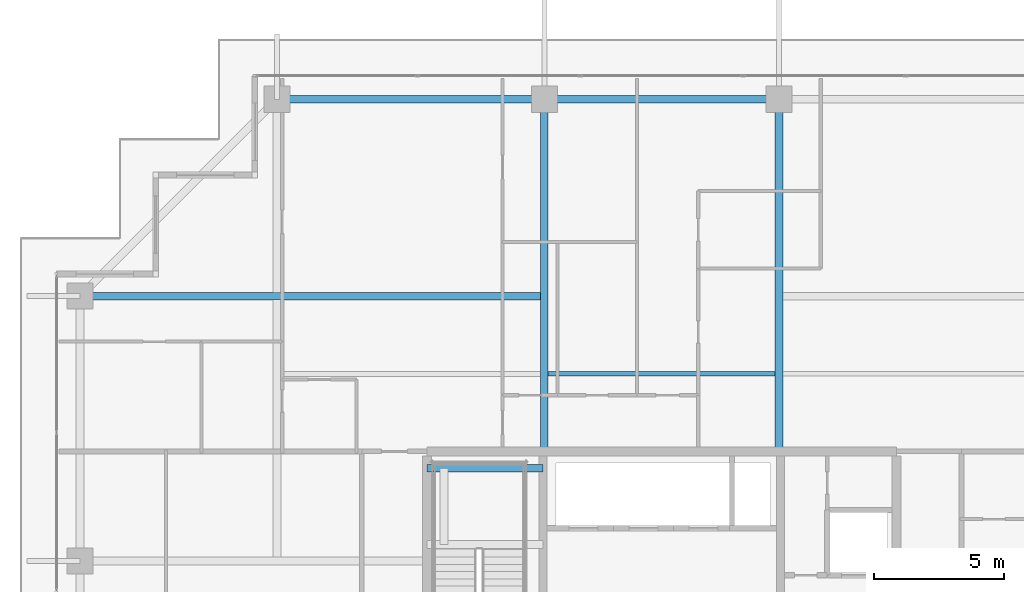
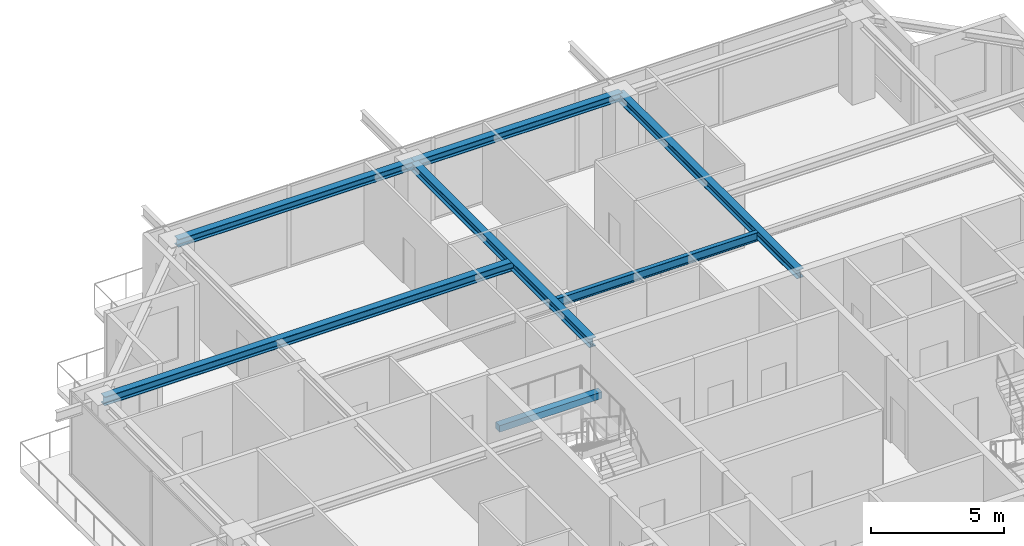
# One storey, part 22 of 42: 7 beams.
"""IFC4 building model written with IfcOpenShell, lengths in metres."""

from ifc_helpers import new_model, si_unit, direction, frame, origin, origin_2d, place, context, subcontext, project, spatial, rectangle, i_section, extrude, source, transform, mapped, material, material_profile, profile_set, type_object, element, save


model = new_model("IFC4")

# Units and contexts
model_context = context("Model", 3, precision=1e-05, world=origin(), true_north=direction((0.0, 1.0)))
body_context = subcontext(model_context, "Body", "Model", "MODEL_VIEW")
ifc_project = project(units=[si_unit("LENGTHUNIT", "METRE"), si_unit("AREAUNIT", "SQUARE_METRE"), si_unit("VOLUMEUNIT", "CUBIC_METRE"), si_unit("PLANEANGLEUNIT", "RADIAN"), si_unit("MASSUNIT", "GRAM", prefix="KILO")], contexts=[model_context])

# Site, building, storey
site_placement = place(None, origin())
site = spatial("IfcSite", under=ifc_project, at=site_placement, CompositionType="ELEMENT")
building_placement = place(site_placement, origin())
building = spatial("IfcBuilding", under=site, at=building_placement, Name="Serunith Strait Residences", CompositionType="ELEMENT")
storey_placement = place(building_placement, frame((0.0, 0.0, 309.64990234375)))
storey = spatial("IfcBuildingStorey", under=building, at=storey_placement, Name="L77", CompositionType="ELEMENT", Elevation=309.64990234375)

# Beams
ifc_material_1 = material(Name="Steel S355J2", Category="steel")
ifc_material_profile_1 = material_profile(ifc_material_1, i_section(OverallWidth=0.179931640625, OverallDepth=0.39990234375, WebThickness=0.008544921875, FlangeThickness=0.013427734375, FilletRadius=0.02099609375, at=origin_2d()), Name="IPE 400")
ifc_profile_set_1 = profile_set([ifc_material_profile_1], Name="Steel S355J2")
beam_type_1 = type_object("IfcBeamType", Name="BM-IPE400", PredefinedType="JOIST", material=ifc_profile_set_1)
shared_shape_1 = source(origin(), body_context, "Body", "SweptSolid", [
    extrude(i_section(OverallWidth=0.179931640625, OverallDepth=0.39990234375, WebThickness=0.008544921875, FlangeThickness=0.013427734375, FilletRadius=0.02099609375, at=origin_2d()), origin(), (0.0, 0.0, 1.0), 8.699951171875),
])
beam_1_placement = place(storey_placement, frame((28.050048828125, 36.574951171875, 3.587158203125), z_axis=(1.0, 0.0, 0.0), x_axis=(0.0, 1.0, 0.0)))
element("IfcBeam", 1, at=beam_1_placement, inside=storey, type_object=beam_type_1, Name="L77 Composite Floor Joist 05", PredefinedType="JOIST", context=body_context, shape_type="MappedRepresentation", body=[
    mapped(shared_shape_1, transform((0.0, 0.0, 0.0), scale=1.0)),
])
ifc_material_profile_2 = material_profile(ifc_material_1, i_section(OverallWidth=0.300048828125, OverallDepth=0.39990234375, WebThickness=0.013427734375, FlangeThickness=0.02392578125, FilletRadius=0.027099609375, at=origin_2d()), Name="HEB 400")
ifc_profile_set_2 = profile_set([ifc_material_profile_2], Name="Steel S355J2")
beam_type_2 = type_object("IfcBeamType", Name="BM-HEB400", PredefinedType="BEAM", material=ifc_profile_set_2)
shared_shape_2 = source(origin(), body_context, "Body", "SweptSolid", [
    extrude(i_section(OverallWidth=0.300048828125, OverallDepth=0.39990234375, WebThickness=0.013427734375, FlangeThickness=0.02392578125, FilletRadius=0.027099609375, at=origin_2d()), origin(), (0.0, 0.0, 1.0), 13.5),
])
for number, where, z_axis, x_axis, name in (
    (2, (27.89990234375, 33.60009765625, 3.587158203125), (0.0, 1.0, 0.0), (-1.0, 0.0, 0.0), "L77 Primary Floor Girder TC-N2"),
    (3, (36.89990234375, 33.60009765625, 3.587158203125), (0.0, 1.0, 0.0), (-1.0, 0.0, 0.0), "L77 Primary Floor Girder TC-N3"),
):
    element("IfcBeam", number, at=place(storey_placement, frame(where, z_axis=z_axis, x_axis=x_axis)), inside=storey, type_object=beam_type_2, Name=name, PredefinedType="BEAM", context=body_context, shape_type="MappedRepresentation", body=[
        mapped(shared_shape_2, transform((0.0, 0.0, 0.0), scale=1.0)),
    ])
shared_shape_3 = source(origin(), body_context, "Body", "SweptSolid", [
    extrude(i_section(OverallWidth=0.300048828125, OverallDepth=0.39990234375, WebThickness=0.013427734375, FlangeThickness=0.02392578125, FilletRadius=0.027099609375, at=origin_2d()), origin(), (0.0, 0.0, 1.0), 17.7998046875),
])
beam_2_placement = place(storey_placement, frame((27.89990234375, 39.550048828125, 3.587158203125), z_axis=(-1.0, 0.0, 0.0), x_axis=(0.0, -1.0, 0.0)))
element("IfcBeam", 4, at=beam_2_placement, inside=storey, type_object=beam_type_2, Name="L77 Orthogonal Corner Girder TC-W4", PredefinedType="BEAM", context=body_context, shape_type="MappedRepresentation", body=[
    mapped(shared_shape_3, transform((0.0, 0.0, 0.0), scale=1.0)),
])
ifc_material_profile_3 = material_profile(ifc_material_1, i_section(OverallWidth=0.300048828125, OverallDepth=0.360107421875, WebThickness=0.012451171875, FlangeThickness=0.0224609375, FilletRadius=0.027099609375, at=origin_2d()), Name="HEB 360")
ifc_profile_set_3 = profile_set([ifc_material_profile_3], Name="Steel S355J2")
beam_type_3 = type_object("IfcBeamType", Name="BM-HEB360", PredefinedType="BEAM", material=ifc_profile_set_3)
shared_shape_4 = source(origin(), body_context, "Body", "SweptSolid", [
    extrude(i_section(OverallWidth=0.300048828125, OverallDepth=0.360107421875, WebThickness=0.012451171875, FlangeThickness=0.0224609375, FilletRadius=0.027099609375, at=origin_2d()), origin(), (0.0, 0.0, 1.0), 10.25),
])
beam_3_placement = place(storey_placement, frame((27.89990234375, 47.10009765625, 3.607177734375), z_axis=(-1.0, 0.0, 0.0), x_axis=(0.0, -1.0, 0.0)))
element("IfcBeam", 5, at=beam_3_placement, inside=storey, type_object=beam_type_3, Name="L77 Perimeter Ring Beam 11", PredefinedType="BEAM", context=body_context, shape_type="MappedRepresentation", body=[
    mapped(shared_shape_4, transform((0.0, 0.0, 0.0), scale=1.0)),
])
shared_shape_5 = source(origin(), body_context, "Body", "SweptSolid", [
    extrude(i_section(OverallWidth=0.300048828125, OverallDepth=0.360107421875, WebThickness=0.012451171875, FlangeThickness=0.0224609375, FilletRadius=0.027099609375, at=origin_2d()), origin(), (0.0, 0.0, 1.0), 9.0),
])
beam_4_placement = place(storey_placement, frame((36.89990234375, 47.10009765625, 3.607177734375), z_axis=(-1.0, 0.0, 0.0), x_axis=(0.0, -1.0, 0.0)))
element("IfcBeam", 6, at=beam_4_placement, inside=storey, type_object=beam_type_3, Name="L77 Perimeter Ring Beam 10", PredefinedType="BEAM", context=body_context, shape_type="MappedRepresentation", body=[
    mapped(shared_shape_5, transform((0.0, 0.0, 0.0), scale=1.0)),
])
ifc_material_2 = material(Name="Concrete C60/75", Category="concrete")
ifc_material_profile_4 = material_profile(ifc_material_2, rectangle(XDim=0.300048828125, YDim=0.300048828125, at=origin_2d()), Name="RC 300x300")
ifc_profile_set_4 = profile_set([ifc_material_profile_4], Name="Concrete C60/75")
beam_type_4 = type_object("IfcBeamType", Name="BM-LAND-300x300", PredefinedType="BEAM", material=ifc_profile_set_4)
shared_shape_6 = source(origin(), body_context, "Body", "SweptSolid", [
    extrude(rectangle(XDim=0.300048828125, YDim=0.300048828125, at=origin_2d()), origin(), (0.0, 0.0, 1.0), 4.4501953125),
])
beam_5_placement = place(storey_placement, frame((23.39990234375, 32.949951171875, 1.675048828125), z_axis=(1.0, 0.0, 0.0), x_axis=(0.0, 1.0, 0.0)))
element("IfcBeam", 7, at=beam_5_placement, inside=storey, type_object=beam_type_4, Name="L77 ST-1 Landing Support Beam 2", PredefinedType="BEAM", context=body_context, shape_type="MappedRepresentation", body=[
    mapped(shared_shape_6, transform((0.0, 0.0, 0.0), scale=1.0)),
])

save(model, "model.ifc")
